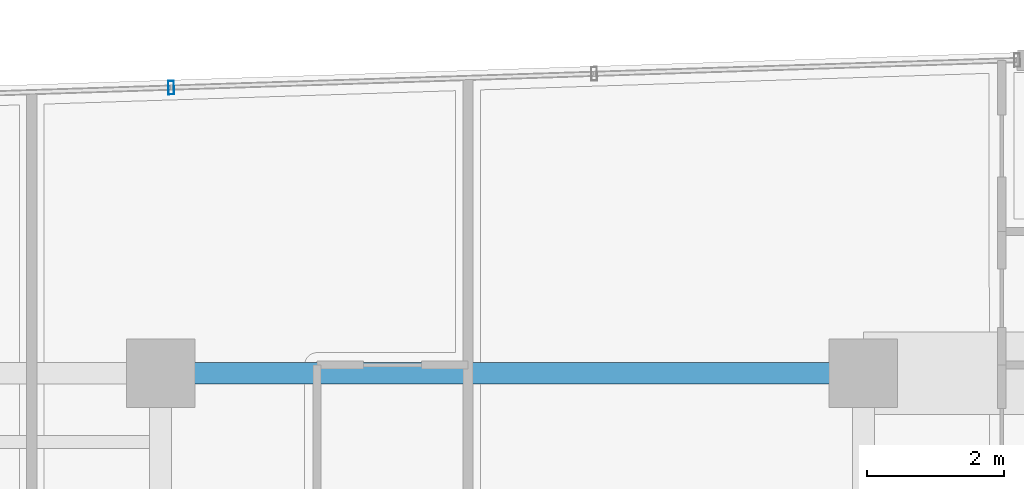
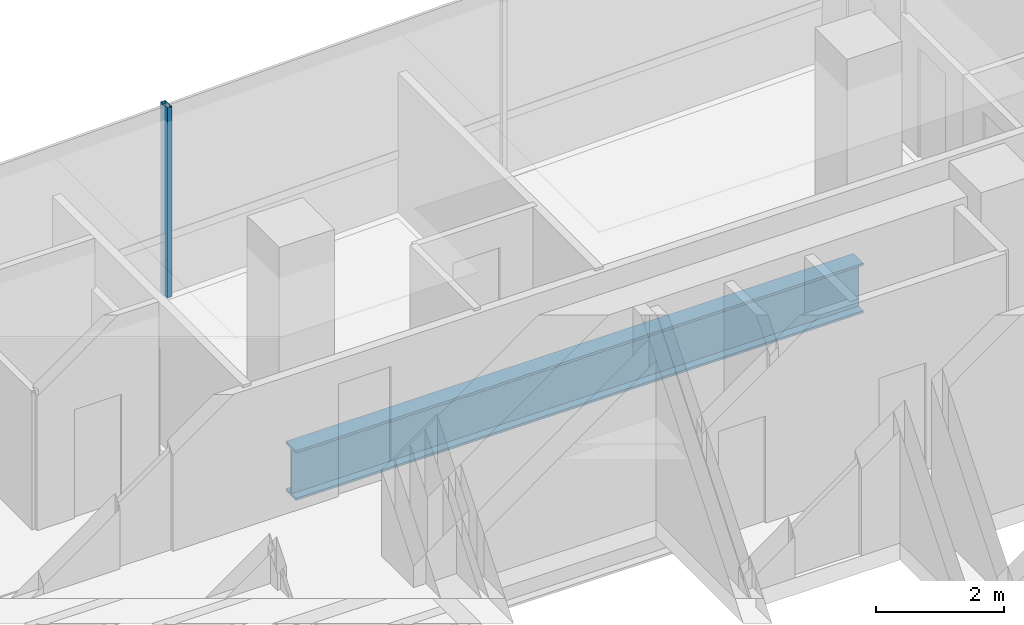
# One storey, part 18 of 38: 1 beam, 1 member, 1 element without a shape of its own.
"""IFC4 building model written with IfcOpenShell, lengths in metres."""

from ifc_helpers import new_model, si_unit, direction, frame, origin, origin_2d, place, context, subcontext, project, spatial, hollow_rectangle, i_section, extrude, source, transform, mapped, material, material_profile, profile_set, type_object, element, aggregate, save


model = new_model("IFC4")

# Units and contexts
model_context = context("Model", 3, precision=1e-05, world=origin(), true_north=direction((0.0, 1.0)))
body_context = subcontext(model_context, "Body", "Model", "MODEL_VIEW")
ifc_project = project(units=[si_unit("LENGTHUNIT", "METRE"), si_unit("AREAUNIT", "SQUARE_METRE"), si_unit("VOLUMEUNIT", "CUBIC_METRE"), si_unit("PLANEANGLEUNIT", "RADIAN"), si_unit("MASSUNIT", "GRAM", prefix="KILO")], contexts=[model_context])

# Site, building, storey
site_placement = place(None, origin())
site = spatial("IfcSite", under=ifc_project, at=site_placement, CompositionType="ELEMENT")
building_placement = place(site_placement, origin())
building = spatial("IfcBuilding", under=site, at=building_placement, Name="Valdorenza Pilgrim Sanctuary Tower", CompositionType="ELEMENT")
storey_placement = place(building_placement, frame((0.0, 0.0, 180.5)))
storey = spatial("IfcBuildingStorey", under=building, at=storey_placement, Name="L46", CompositionType="ELEMENT", Elevation=180.5)

# Beam
ifc_material_1 = material(Name="Steel ASTM A992 Grade 50", Category="steel")
ifc_material_profile_1 = material_profile(ifc_material_1, i_section(OverallWidth=0.31005859375, OverallDepth=0.949951171875, WebThickness=0.0244140625, FlangeThickness=0.0439453125, at=origin_2d()), Name="W36X256")
ifc_profile_set_1 = profile_set([ifc_material_profile_1], Name="Steel ASTM A992 Grade 50")
beam_type = type_object("IfcBeamType", Name="STR-BM-GRD-W36B", PredefinedType="BEAM", material=ifc_profile_set_1)
shared_shape_1 = source(origin(), body_context, "Body", "SweptSolid", [
    extrude(i_section(OverallWidth=0.31005859375, OverallDepth=0.949951171875, WebThickness=0.0244140625, FlangeThickness=0.0439453125, at=origin_2d()), origin(), (0.0, 0.0, 1.0), 10.25),
])
beam_placement = place(storey_placement, frame((-22.64990234375, 14.800048828125, -0.794921875), z_axis=(1.0, 0.0, 0.0), x_axis=(0.0, 1.0, 0.0)))
element("IfcBeam", 1, at=beam_placement, inside=storey, type_object=beam_type, Name="L46 Floor Girder CA-XC-N2", PredefinedType="BEAM", context=body_context, shape_type="MappedRepresentation", body=[
    mapped(shared_shape_1, transform((0.0, 0.0, 0.0), x_axis=(1.0, 0.0, 0.0), y_axis=(0.0, 1.0, 0.0), z_axis=(0.0, 0.0, 1.0), scale=1.0)),
])

# Curtain wall, member
ifc_material_2 = material(Name="Curtain-wall IGU glazing", Category="glass")
curtain_wall_type = type_object("IfcCurtainWallType", Name="CW-SYS-02", PredefinedType="NOTDEFINED", material=ifc_material_2)
curtain_wall_placement = place(storey_placement, origin())
curtain_wall = element("IfcCurtainWall", 2, at=curtain_wall_placement, inside=storey, type_object=curtain_wall_type, Name="L46 Curtain Wall CW-L46-1-6", PredefinedType="NOTDEFINED")
ifc_material_3 = material(Name="Anodised aluminium AW-6060", Category="aluminium")
ifc_material_profile_2 = material_profile(ifc_material_3, hollow_rectangle(XDim=0.0849609375, YDim=0.199951171875, WallThickness=0.0048828125, at=origin_2d()), Name="ALU-M 200x85x5")
ifc_profile_set_2 = profile_set([ifc_material_profile_2], Name="Anodised aluminium AW-6060")
member_type = type_object("IfcMemberType", Name="CW-MUL-02", PredefinedType="MULLION", material=ifc_profile_set_2)
shared_shape_2 = source(origin(), body_context, "Body", "SweptSolid", [
    extrude(hollow_rectangle(XDim=0.0849609375, YDim=0.199951171875, WallThickness=0.0048828125, at=origin_2d()), origin(), (0.0, 0.0, 1.0), 3.6298828125),
])
member_placement = place(storey_placement, frame((-22.495361328125, 18.966796875, 0.0), z_axis=(0.0, 0.0, 1.0), x_axis=(0.999470282811, 0.032544642846, 0.0)))
member = element("IfcMember", 3, at=member_placement, type_object=member_type, Name="CW-L46-1-6 Mullion 2", PredefinedType="MULLION", context=body_context, shape_type="MappedRepresentation", body=[
    mapped(shared_shape_2, transform((0.0, 0.0, 0.0), x_axis=(1.0, 0.0, 0.0), y_axis=(0.0, 1.0, 0.0), z_axis=(0.0, 0.0, 1.0), scale=1.0)),
])
aggregate(curtain_wall, [member])

save(model, "model.ifc")
